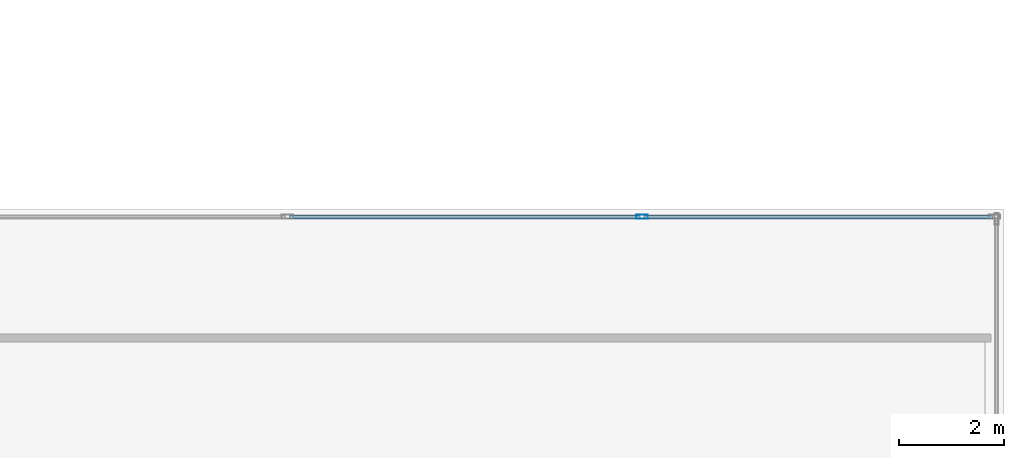
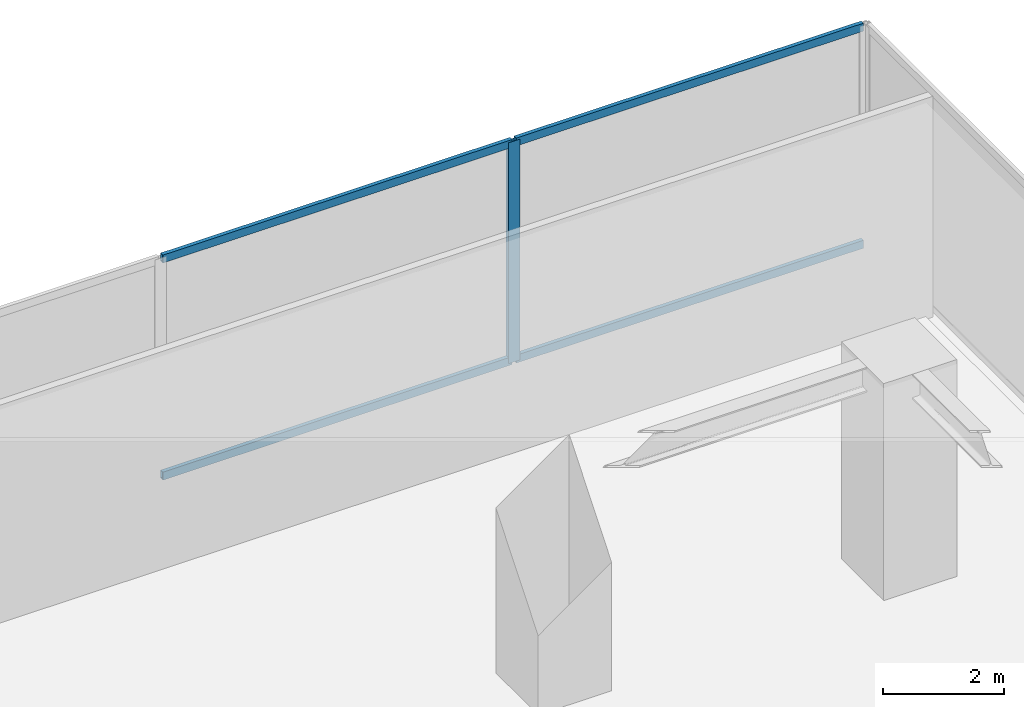
# One storey, part 6 of 17: 5 members, 1 element without a shape of its own.
"""IFC4 building model written with IfcOpenShell, lengths in metres."""

from ifc_helpers import new_model, si_unit, direction, frame, origin, origin_with_axes, origin_2d, place, context, subcontext, project, spatial, hollow_rectangle, extrude, source, transform, mapped, material, layer, layer_set, material_profile, profile_set, type_object, element, aggregate, save


model = new_model("IFC4")

# Units and contexts
model_context = context("Model", 3, precision=1e-05, world=origin(), true_north=direction((0.0, 1.0)))
body_context = subcontext(model_context, "Body", "Model", "MODEL_VIEW")
ifc_project = project(units=[si_unit("LENGTHUNIT", "METRE"), si_unit("AREAUNIT", "SQUARE_METRE"), si_unit("VOLUMEUNIT", "CUBIC_METRE"), si_unit("PLANEANGLEUNIT", "RADIAN"), si_unit("MASSUNIT", "GRAM", prefix="KILO")], contexts=[model_context])

# Site, building, storey
site_placement = place(None, origin())
site = spatial("IfcSite", under=ifc_project, at=site_placement, CompositionType="ELEMENT")
building_placement = place(site_placement, origin())
building = spatial("IfcBuilding", under=site, at=building_placement, Name="Kolvaren Waterfront Exchange", CompositionType="ELEMENT")
storey_placement = place(building_placement, frame((0.0, 0.0, 5.60009765625)))
storey = spatial("IfcBuildingStorey", under=building, at=storey_placement, Name="L02", CompositionType="ELEMENT", Elevation=5.60009765625)

# Curtain wall, members
ifc_material_1 = material(Name="Anodised bronze aluminium 6063-T6", Category="aluminium")
ifc_layer = layer(ifc_material_1, 0.219970703125, Name="Anodised bronze aluminium 6063-T6")
ifc_layer_set = layer_set([ifc_layer], Name="Anodised bronze aluminium 6063-T6")
curtain_wall_type = type_object("IfcCurtainWallType", Name="ARC-CW-SYS4", PredefinedType="USERDEFINED", material=ifc_layer_set)
curtain_wall_placement = place(storey_placement, origin())
curtain_wall = element("IfcCurtainWall", 1, at=curtain_wall_placement, inside=storey, type_object=curtain_wall_type, Name="L02 stick curtain wall CW4 (CW-L02-E2)", ObjectType="STICK CURTAIN WALL", PredefinedType="USERDEFINED")
ifc_material_2 = material(Name="Anodised aluminium 6063-T6", Category="aluminium")
ifc_material_profile_1 = material_profile(ifc_material_2, hollow_rectangle(XDim=0.080078125, YDim=0.219970703125, WallThickness=0.0048828125, at=origin_2d()), Name="ALU-MUL-220x80x5")
ifc_profile_set_1 = profile_set([ifc_material_profile_1], Name="Anodised aluminium 6063-T6")
member_type_1 = type_object("IfcMemberType", Name="ARC-CWM-220", PredefinedType="MULLION", material=ifc_profile_set_1)
shared_shape_1 = source(origin_with_axes(), body_context, "Body", "SweptSolid", [
    extrude(hollow_rectangle(XDim=0.080078125, YDim=0.219970703125, WallThickness=0.0048828125, at=origin_2d()), origin(), (0.0, 0.0, 1.0), 4.4599609375),
])
member_1_placement = place(storey_placement, frame((57.907470703125, 39.06005859375, 0.0), z_axis=(0.0, 0.0, 1.0), x_axis=(0.0, -1.0, 0.0)))
member_1 = element("IfcMember", 2, at=member_1_placement, type_object=member_type_1, Name="CW4 mullion 2", PredefinedType="MULLION", context=body_context, shape_type="MappedRepresentation", body=[
    mapped(shared_shape_1, transform((0.0, 0.0, 0.0), x_axis=(1.0, 0.0, 0.0), y_axis=(0.0, 1.0, 0.0), z_axis=(0.0, 0.0, 1.0), scale=1.0)),
])
ifc_material_profile_2 = material_profile(ifc_material_2, hollow_rectangle(XDim=0.074951171875, YDim=0.159912109375, WallThickness=0.00439453125, at=origin_2d()), Name="ALU-TRN-160x75x4.5")
ifc_profile_set_2 = profile_set([ifc_material_profile_2], Name="Anodised aluminium 6063-T6")
member_type_2 = type_object("IfcMemberType", Name="ARC-CWT-160", PredefinedType="USERDEFINED", material=ifc_profile_set_2)
shared_shape_2 = source(origin_with_axes(), body_context, "Body", "SweptSolid", [
    extrude(hollow_rectangle(XDim=0.074951171875, YDim=0.159912109375, WallThickness=0.00439453125, at=origin_2d()), origin(), (0.0, 0.0, 1.0), 6.632568359375),
])
member_2_placement = place(storey_placement, frame((64.580078125, 39.06005859375, 0.037353515625), z_axis=(-1.0, 0.0, 0.0), x_axis=(0.0, -1.0, 0.0)))
member_2 = element("IfcMember", 3, at=member_2_placement, type_object=member_type_2, Name="CW4 transom 1.1", ObjectType="TRANSOM", PredefinedType="USERDEFINED", context=body_context, shape_type="MappedRepresentation", body=[
    mapped(shared_shape_2, transform((0.0, 0.0, 0.0), x_axis=(1.0, 0.0, 0.0), y_axis=(0.0, 1.0, 0.0), z_axis=(0.0, 0.0, 1.0), scale=1.0)),
])
member_3_placement = place(storey_placement, frame((64.580078125, 39.06005859375, 4.42236328125), z_axis=(-1.0, 0.0, 0.0), x_axis=(0.0, -1.0, 0.0)))
member_3 = element("IfcMember", 4, at=member_3_placement, type_object=member_type_2, Name="CW4 transom 1.2", ObjectType="TRANSOM", PredefinedType="USERDEFINED", context=body_context, shape_type="MappedRepresentation", body=[
    mapped(shared_shape_2, transform((0.0, 0.0, 0.0), x_axis=(1.0, 0.0, 0.0), y_axis=(0.0, 1.0, 0.0), z_axis=(0.0, 0.0, 1.0), scale=1.0)),
])
shared_shape_3 = source(origin_with_axes(), body_context, "Body", "SweptSolid", [
    extrude(hollow_rectangle(XDim=0.074951171875, YDim=0.159912109375, WallThickness=0.00439453125, at=origin_2d()), origin(), (0.0, 0.0, 1.0), 6.67236328125),
])
member_4_placement = place(storey_placement, frame((57.867431640625, 39.06005859375, 0.037353515625), z_axis=(-1.0, 0.0, 0.0), x_axis=(0.0, -1.0, 0.0)))
member_4 = element("IfcMember", 5, at=member_4_placement, type_object=member_type_2, Name="CW4 transom 2.1", ObjectType="TRANSOM", PredefinedType="USERDEFINED", context=body_context, shape_type="MappedRepresentation", body=[
    mapped(shared_shape_3, transform((0.0, 0.0, 0.0), x_axis=(1.0, 0.0, 0.0), y_axis=(0.0, 1.0, 0.0), z_axis=(0.0, 0.0, 1.0), scale=1.0)),
])
member_5_placement = place(storey_placement, frame((57.867431640625, 39.06005859375, 4.42236328125), z_axis=(-1.0, 0.0, 0.0), x_axis=(0.0, -1.0, 0.0)))
member_5 = element("IfcMember", 6, at=member_5_placement, type_object=member_type_2, Name="CW4 transom 2.2", ObjectType="TRANSOM", PredefinedType="USERDEFINED", context=body_context, shape_type="MappedRepresentation", body=[
    mapped(shared_shape_3, transform((0.0, 0.0, 0.0), x_axis=(1.0, 0.0, 0.0), y_axis=(0.0, 1.0, 0.0), z_axis=(0.0, 0.0, 1.0), scale=1.0)),
])
aggregate(curtain_wall, [member_1, member_2, member_3, member_4, member_5])

save(model, "model.ifc")
